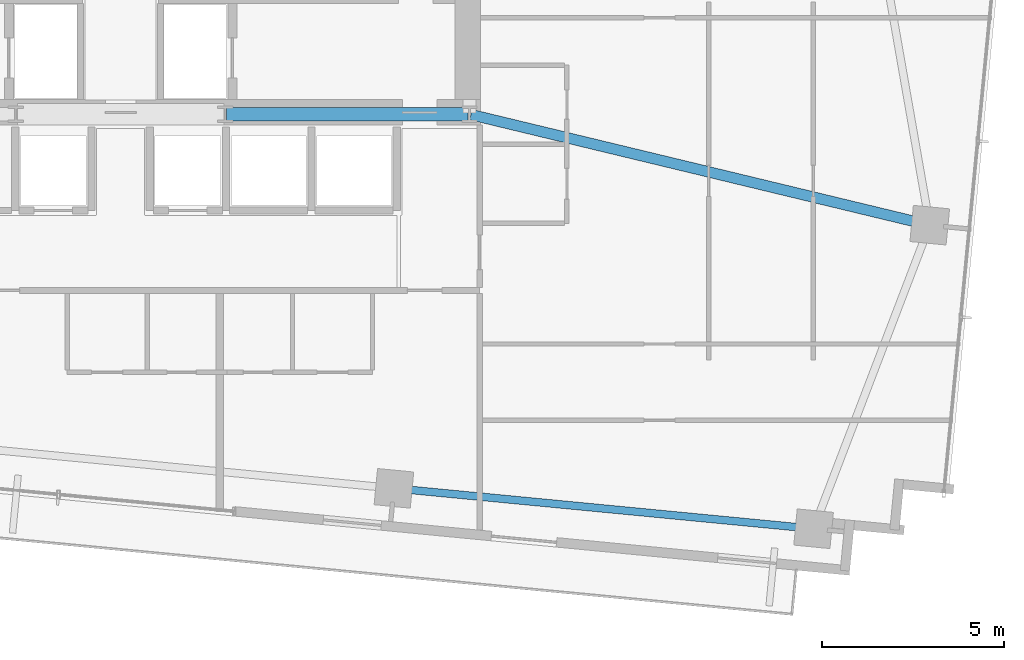
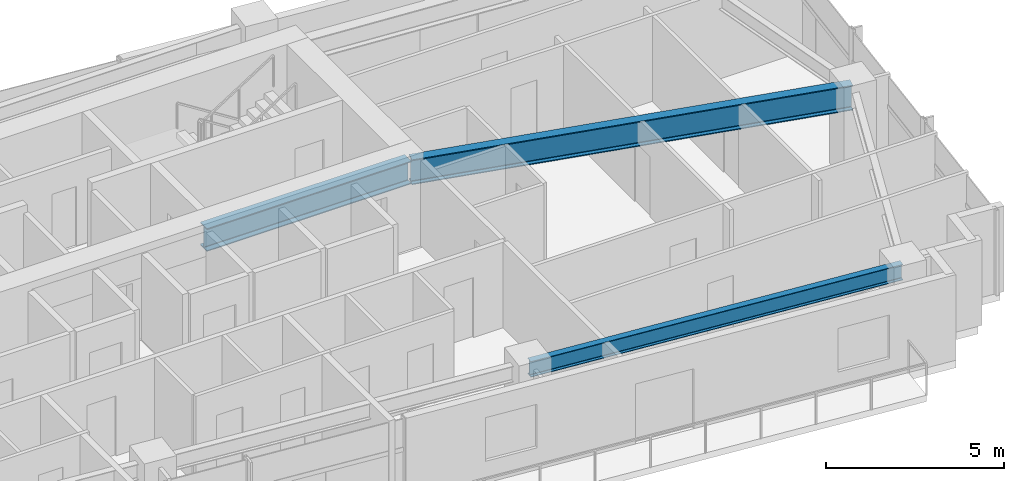
# One storey, part 10 of 20: 3 beams.
"""IFC4 building model written with IfcOpenShell, lengths in metres."""

from ifc_helpers import new_model, si_unit, direction, frame, origin, origin_2d, place, context, subcontext, project, spatial, i_section, extrude, source, transform, mapped, material, material_profile, profile_set, type_object, type_shapes, element, save


model = new_model("IFC4")

# Units and contexts
model_context = context("Model", 3, precision=1e-05, world=origin(), true_north=direction((0.0, 1.0)))
body_context = subcontext(model_context, "Body", "Model", "MODEL_VIEW")
ifc_project = project(units=[si_unit("LENGTHUNIT", "METRE"), si_unit("AREAUNIT", "SQUARE_METRE"), si_unit("VOLUMEUNIT", "CUBIC_METRE"), si_unit("PLANEANGLEUNIT", "RADIAN"), si_unit("MASSUNIT", "GRAM", prefix="KILO")], contexts=[model_context])

# Site, building, storey
site_placement = place(None, origin())
site = spatial("IfcSite", under=ifc_project, at=site_placement, CompositionType="ELEMENT")
building_placement = place(site_placement, origin())
building = spatial("IfcBuilding", under=site, at=building_placement, Name="Astriad Promenade Condominiums", CompositionType="ELEMENT")
storey_placement = place(building_placement, frame((0.0, 0.0, 153.39990234375)))
storey = spatial("IfcBuildingStorey", under=building, at=storey_placement, Name="L44", CompositionType="ELEMENT", Elevation=153.39990234375)

# Beams
ifc_material = material(Name="Steel ASTM A992 Grade 50", Category="steel")
ifc_material_profile_1 = material_profile(ifc_material, i_section(OverallWidth=0.3837890625, OverallDepth=0.785888671875, WebThickness=0.019775390625, FlangeThickness=0.033447265625, FilletRadius=0.021484375, at=origin_2d()), Name="W30X211")
ifc_profile_set_1 = profile_set([ifc_material_profile_1], Name="Steel ASTM A992 Grade 50")
beam_type_1 = type_object("IfcBeamType", Name="STEEL FLOOR GIRDER W30X211", PredefinedType="BEAM", material=ifc_profile_set_1)
shared_shape_1 = source(origin(), body_context, "Body", "SweptSolid", [
    extrude(i_section(OverallWidth=0.3837890625, OverallDepth=0.785888671875, WebThickness=0.019775390625, FlangeThickness=0.033447265625, FilletRadius=0.021484375, at=origin_2d()), origin(), (0.0, 0.0, 1.0), 6.64013671875),
])
type_shapes(beam_type_1, [shared_shape_1])
beam_1_placement = place(storey_placement, frame((38.919921875, 17.39990234375, 2.547119140625), z_axis=(1.0, 0.0, 0.0), x_axis=(0.0, 1.0, 0.0)))
element("IfcBeam", 1, at=beam_1_placement, inside=storey, type_object=beam_type_1, Name="Core Ring Beam CG-S3-L44", PredefinedType="BEAM", context=body_context, shape_type="MappedRepresentation", body=[
    mapped(shared_shape_1, transform((0.0, 0.0, 0.0), scale=1.0)),
])
ifc_material_profile_2 = material_profile(ifc_material, i_section(OverallWidth=0.210693359375, OverallDepth=0.53955078125, WebThickness=0.01171875, FlangeThickness=0.018798828125, FilletRadius=0.0166015625, at=origin_2d()), Name="W21X73")
ifc_profile_set_2 = profile_set([ifc_material_profile_2], Name="Steel ASTM A992 Grade 50")
beam_type_2 = type_object("IfcBeamType", Name="STEEL SPANDREL BEAM W21X73", PredefinedType="SPANDREL", material=ifc_profile_set_2)
shared_shape_2 = source(origin(), body_context, "Body", "SweptSolid", [
    extrude(i_section(OverallWidth=0.210693359375, OverallDepth=0.53955078125, WebThickness=0.01171875, FlangeThickness=0.018798828125, FilletRadius=0.0166015625, at=origin_2d()), origin(), (0.0, 0.0, 1.0), 11.519775390625),
])
type_shapes(beam_type_2, [shared_shape_2])
beam_2_placement = place(storey_placement, frame((43.560302734375, 7.10400390625, 2.67041015625), z_axis=(0.995397217389, -0.095835168988, 0.0), x_axis=(0.095835168988, 0.995397217389, 0.0)))
element("IfcBeam", 2, at=beam_2_placement, inside=storey, type_object=beam_type_2, Name="Perimeter Spandrel Beam SP-S4-L44", PredefinedType="SPANDREL", context=body_context, shape_type="MappedRepresentation", body=[
    mapped(shared_shape_2, transform((0.0, 0.0, 0.0), scale=1.0)),
])
ifc_material_profile_3 = material_profile(ifc_material, i_section(OverallWidth=0.2919921875, OverallDepth=0.85888671875, WebThickness=0.01708984375, FlangeThickness=0.031005859375, FilletRadius=0.02294921875, at=origin_2d()), Name="W33X169")
ifc_profile_set_3 = profile_set([ifc_material_profile_3], Name="Steel ASTM A992 Grade 50")
beam_type_3 = type_object("IfcBeamType", Name="STEEL PRIMARY GIRDER W33X169", PredefinedType="BEAM", material=ifc_profile_set_3)
shared_shape_3 = source(origin(), body_context, "Body", "SweptSolid", [
    extrude(i_section(OverallWidth=0.2919921875, OverallDepth=0.85888671875, WebThickness=0.01708984375, FlangeThickness=0.031005859375, FilletRadius=0.02294921875, at=origin_2d()), origin(), (0.0, 0.0, 1.0), 12.94482421875),
])
type_shapes(beam_type_3, [shared_shape_3])
beam_3_placement = place(storey_placement, frame((58.223388671875, 14.357666015625, 2.510498046875), z_axis=(-0.972164476402, 0.234299446908, 0.0), x_axis=(-0.234299446908, -0.972164476402, 0.0)))
element("IfcBeam", 3, at=beam_3_placement, inside=storey, type_object=beam_type_3, Name="Primary Floor Girder PG-EM-L44", PredefinedType="BEAM", context=body_context, shape_type="MappedRepresentation", body=[
    mapped(shared_shape_3, transform((0.0, 0.0, 0.0), scale=1.0)),
])

save(model, "model.ifc")
